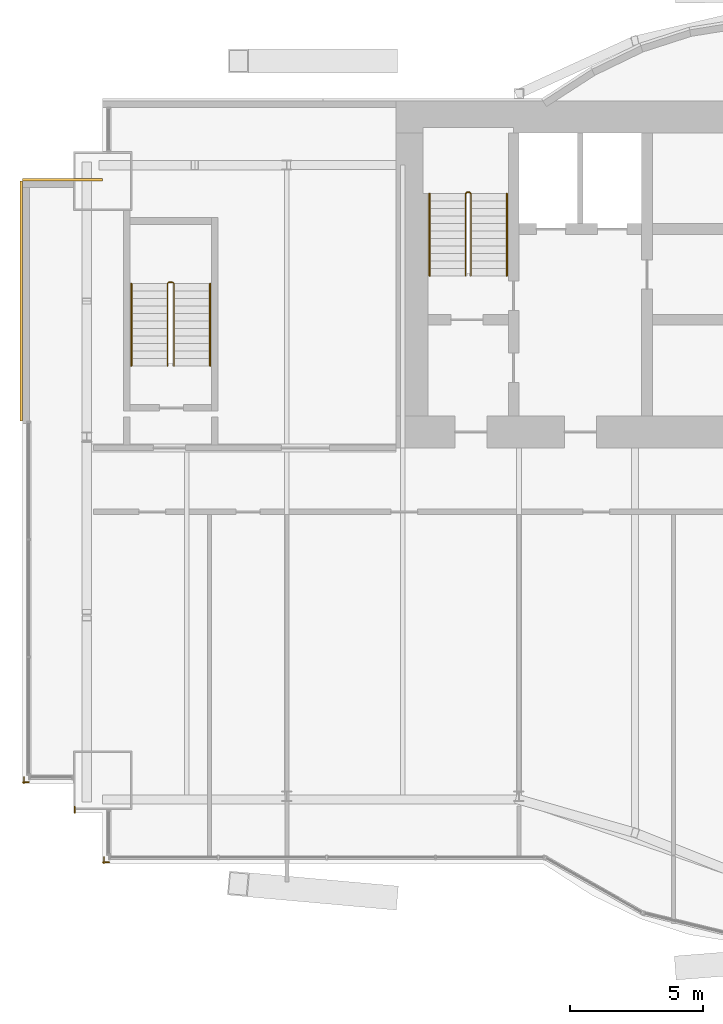
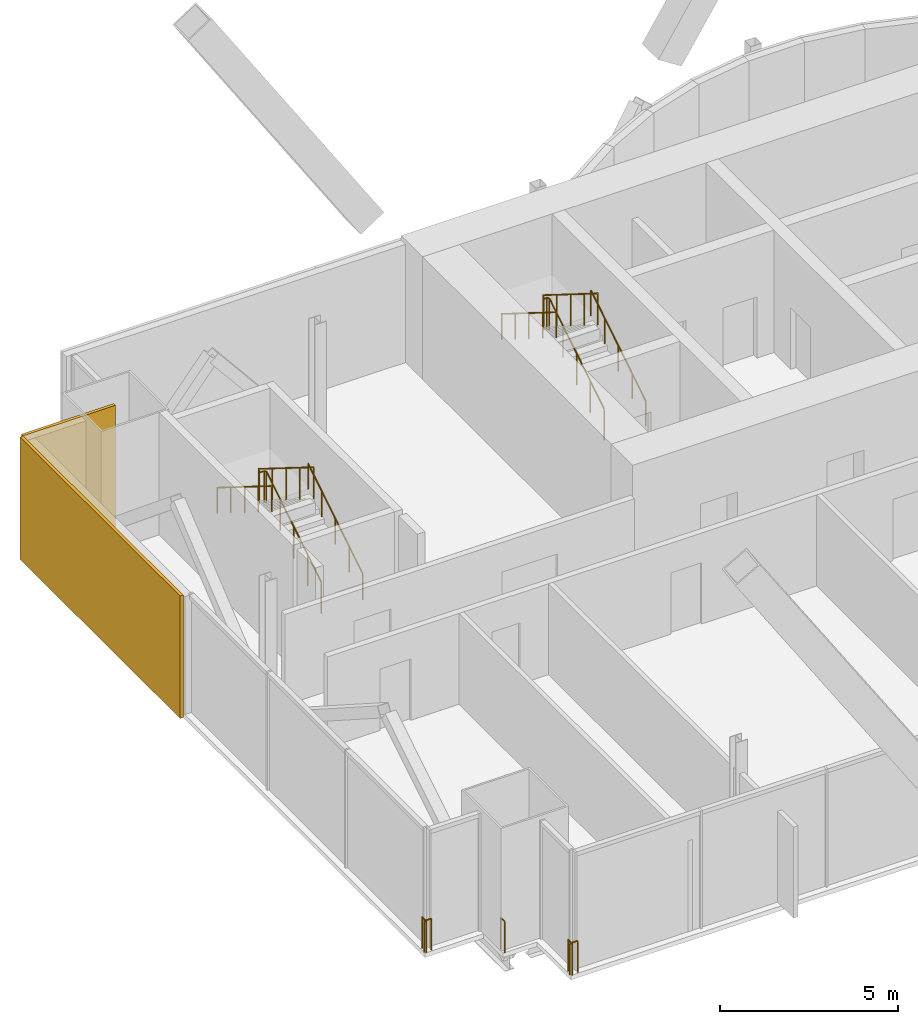
# One storey, part 17 of 19: 9 railings, 2 coverings.
"""IFC4 building model written with IfcOpenShell, lengths in metres."""

from ifc_helpers import new_model, si_unit, direction, frame, origin, origin_2d, place, context, subcontext, project, spatial, rectangle, circle, extrude, material, layer, layer_set, type_object, element, save


model = new_model("IFC4")

# Units and contexts
model_context = context("Model", 3, precision=1e-05, world=origin(), true_north=direction((0.0, 1.0)))
body_context = subcontext(model_context, "Body", "Model", "MODEL_VIEW")
ifc_project = project(units=[si_unit("LENGTHUNIT", "METRE"), si_unit("AREAUNIT", "SQUARE_METRE"), si_unit("VOLUMEUNIT", "CUBIC_METRE"), si_unit("PLANEANGLEUNIT", "RADIAN"), si_unit("MASSUNIT", "GRAM", prefix="KILO")], contexts=[model_context])

# Site, building, storey
site_placement = place(None, origin())
site = spatial("IfcSite", under=ifc_project, at=site_placement, CompositionType="ELEMENT")
building_placement = place(site_placement, origin())
building = spatial("IfcBuilding", under=site, at=building_placement, Name="Bicima Exchange Tower", CompositionType="ELEMENT")
storey_placement = place(building_placement, frame((0.0, 0.0, 270.800048828125)))
storey = spatial("IfcBuildingStorey", under=building, at=storey_placement, Name="L61", CompositionType="ELEMENT", Elevation=270.800048828125)

# Coverings
ifc_material_1 = material(Name="Bronze metal cladding")
ifc_layer_1 = layer(ifc_material_1, 0.004)
ifc_material_2 = material(Name="Ventilated cavity")
ifc_layer_2 = layer(ifc_material_2, 0.06)
ifc_material_3 = material(Name="Galvanised steel rail and mineral wool", Category="steel")
ifc_layer_3 = layer(ifc_material_3, 0.036)
ifc_layer_set = layer_set([ifc_layer_1, ifc_layer_2, ifc_layer_3], Name="Ventilated cavity")
covering_type = type_object("IfcCoveringType", Name="Bronze metal cladding panel 100", PredefinedType="CLADDING", material=ifc_layer_set)
covering_1_placement = place(storey_placement, frame((-34.5, -2.949951171875, -0.14990234375), z_axis=(0.0, 0.0, 1.0), x_axis=(-1.0, 0.0, 0.0)))
element("IfcCovering", 1, at=covering_1_placement, inside=storey, type_object=covering_type, Name="Bronze cladding L61 22.1", PredefinedType="CLADDING", context=body_context, shape_type="SweptSolid", body=[
    extrude(rectangle(XDim=3.0, YDim=0.10009765625, at=origin_2d()), origin(), (0.0, 0.0, 1.0), 4.199951171875),
])
covering_2_placement = place(storey_placement, frame((-36.050048828125, -7.5, -0.14990234375), z_axis=(0.0, 0.0, 1.0), x_axis=(0.0, -1.0, 0.0)))
element("IfcCovering", 2, at=covering_2_placement, inside=storey, type_object=covering_type, Name="Bronze cladding L61 23.1", PredefinedType="CLADDING", context=body_context, shape_type="SweptSolid", body=[
    extrude(rectangle(XDim=9.0, YDim=0.10009765625, at=origin_2d()), origin(), (0.0, 0.0, 1.0), 4.199951171875),
])

# Railings
ifc_material_4 = material(Name="Stainless steel and bonded safety glass", Category="steel")
railing_type_1 = type_object("IfcRailingType", Name="Edge guard 1100", PredefinedType="GUARDRAIL", material=ifc_material_4)
railing_1_placement = place(storey_placement, frame((-35.762939453125, -25.530029296875, 0.0)))
element("IfcRailing", 3, at=railing_1_placement, inside=storey, type_object=railing_type_1, Name="Edge guard L61 313", PredefinedType="GUARDRAIL", context=body_context, shape_type="SweptSolid", body=[
    extrude(circle(Radius=0.02392578125, at=origin_2d()), frame((0.0, 0.0, 1.076171875), z_axis=(-1.0, 0.0, 0.0), x_axis=(0.0, -1.0, 0.0)), (0.0, 0.0, 1.0), 0.237060546875),
    extrude(circle(Radius=0.02392578125, at=origin_2d()), frame((-0.237060546875, 0.0, 1.076171875), z_axis=(0.707106781187, -0.707106781187, 0.0), x_axis=(0.707106781187, 0.707106781187, 0.0)), (0.0, 0.0, 1.0), 0.07080078125),
    extrude(circle(Radius=0.02392578125, at=origin_2d()), frame((-0.18701171875, -0.050048828125, 1.076171875), z_axis=(0.0, 1.0, 0.0), x_axis=(-1.0, 0.0, 0.0)), (0.0, 0.0, 1.0), 0.248046875),
    extrude(circle(Radius=0.02099609375, at=origin_2d()), origin(), (0.0, 0.0, 1.0), 1.052001953125),
    extrude(circle(Radius=0.02099609375, at=origin_2d()), frame((-0.237060546875, 0.0, 0.0)), (0.0, 0.0, 1.0), 1.052001953125),
    extrude(circle(Radius=0.02099609375, at=origin_2d()), frame((-0.18701171875, -0.050048828125, 0.0)), (0.0, 0.0, 1.0), 1.052001953125),
    extrude(circle(Radius=0.02099609375, at=origin_2d()), frame((-0.18701171875, 0.197998046875, 0.0)), (0.0, 0.0, 1.0), 1.052001953125),
])
railing_2_placement = place(storey_placement, frame((-32.75, -28.530029296875, 0.0)))
element("IfcRailing", 4, at=railing_2_placement, inside=storey, type_object=railing_type_1, Name="Edge guard L61 317", PredefinedType="GUARDRAIL", context=body_context, shape_type="SweptSolid", body=[
    extrude(circle(Radius=0.02392578125, at=origin_2d()), frame((0.0, 0.0, 1.076171875), z_axis=(-1.0, 0.0, 0.0), x_axis=(0.0, -1.0, 0.0)), (0.0, 0.0, 1.0), 0.25),
    extrude(circle(Radius=0.02392578125, at=origin_2d()), frame((-0.25, 0.0, 1.076171875), z_axis=(0.707106781187, -0.707106781187, 0.0), x_axis=(0.707106781187, 0.707106781187, 0.0)), (0.0, 0.0, 1.0), 0.07080078125),
    extrude(circle(Radius=0.02392578125, at=origin_2d()), frame((-0.199951171875, -0.050048828125, 1.076171875), z_axis=(0.0, 1.0, 0.0), x_axis=(-1.0, 0.0, 0.0)), (0.0, 0.0, 1.0), 0.238037109375),
    extrude(circle(Radius=0.02099609375, at=origin_2d()), origin(), (0.0, 0.0, 1.0), 1.052001953125),
    extrude(circle(Radius=0.02099609375, at=origin_2d()), frame((-0.25, 0.0, 0.0)), (0.0, 0.0, 1.0), 1.052001953125),
    extrude(circle(Radius=0.02099609375, at=origin_2d()), frame((-0.199951171875, -0.050048828125, 0.0)), (0.0, 0.0, 1.0), 1.052001953125),
    extrude(circle(Radius=0.02099609375, at=origin_2d()), frame((-0.199951171875, 0.18798828125, 0.0)), (0.0, 0.0, 1.0), 1.052001953125),
])
railing_3_placement = place(storey_placement, frame((-34.050048828125, -26.679931640625, 0.0)))
element("IfcRailing", 5, at=railing_3_placement, inside=storey, type_object=railing_type_1, Name="Edge guard L61 318", PredefinedType="GUARDRAIL", context=body_context, shape_type="SweptSolid", body=[
    extrude(circle(Radius=0.02392578125, at=origin_2d()), frame((0.0, 0.0, 1.076171875), z_axis=(0.0, 1.0, 0.0), x_axis=(-1.0, 0.0, 0.0)), (0.0, 0.0, 1.0), 0.219970703125),
    extrude(circle(Radius=0.02099609375, at=origin_2d()), origin(), (0.0, 0.0, 1.0), 1.052001953125),
    extrude(circle(Radius=0.02099609375, at=origin_2d()), frame((0.0, 0.219970703125, 0.0)), (0.0, 0.0, 1.0), 1.052001953125),
])
ifc_material_5 = material(Name="Stainless steel", Category="steel")
railing_type_2 = type_object("IfcRailingType", Name="Stair guard 1100", PredefinedType="GUARDRAIL", material=ifc_material_5)
railing_4_placement = place(storey_placement, frame((-19.199951171875, -6.550048828125, 0.175048828125)))
element("IfcRailing", 6, at=railing_4_placement, inside=storey, type_object=railing_type_2, Name="L61 ST-W stair guard 1", PredefinedType="GUARDRAIL", context=body_context, shape_type="SweptSolid", body=[
    extrude(circle(Radius=0.02392578125, at=origin_2d()), frame((0.0, 0.0, 1.076171875), z_axis=(0.0, 0.848028513186, 0.529950602248), x_axis=(-1.0, 0.0, 0.0)), (0.0, 0.0, 1.0), 3.632080078125),
    extrude(circle(Radius=0.02392578125, at=origin_2d()), frame((0.0, 3.080078125, 3.0009765625), z_axis=(-0.707106781187, 0.707106781187, 0.0), x_axis=(-0.707106781187, -0.707106781187, 0.0)), (0.0, 0.0, 1.0), 0.07080078125),
    extrude(circle(Radius=0.02392578125, at=origin_2d()), frame((-0.050048828125, 3.130126953125, 3.0009765625), z_axis=(-1.0, 0.0, 0.0), x_axis=(0.0, -1.0, 0.0)), (0.0, 0.0, 1.0), 0.10009765625),
    extrude(circle(Radius=0.02392578125, at=origin_2d()), frame((-0.150146484375, 3.130126953125, 3.0009765625), z_axis=(-0.263862480399, -0.265155923931, 0.927399011991), x_axis=(0.708833529934, -0.705375805398, 0.0)), (0.0, 0.0, 1.0), 0.188720703125),
    extrude(circle(Radius=0.02392578125, at=origin_2d()), frame((-0.199951171875, 3.080078125, 3.17578125), z_axis=(0.0, -0.847998304005, 0.529998940003), x_axis=(1.0, 0.0, 0.0)), (0.0, 0.0, 1.0), 3.632080078125),
    extrude(circle(Radius=0.02099609375, at=origin_2d()), origin(), (0.0, 0.0, 1.0), 1.052001953125),
    extrude(circle(Radius=0.02099609375, at=origin_2d()), frame((0.0, 0.77001953125, 0.481201171875)), (0.0, 0.0, 1.0), 1.052001953125),
    extrude(circle(Radius=0.02099609375, at=origin_2d()), frame((0.0, 1.5400390625, 0.96240234375)), (0.0, 0.0, 1.0), 1.052001953125),
    extrude(circle(Radius=0.02099609375, at=origin_2d()), frame((0.0, 2.31005859375, 1.443603515625)), (0.0, 0.0, 1.0), 1.052001953125),
    extrude(circle(Radius=0.02099609375, at=origin_2d()), frame((0.0, 3.080078125, 1.9248046875)), (0.0, 0.0, 1.0), 1.052001953125),
    extrude(circle(Radius=0.02099609375, at=origin_2d()), frame((-0.050048828125, 3.130126953125, 1.9248046875)), (0.0, 0.0, 1.0), 1.052001953125),
    extrude(circle(Radius=0.02099609375, at=origin_2d()), frame((-0.150146484375, 3.130126953125, 1.9248046875)), (0.0, 0.0, 1.0), 1.052001953125),
    extrude(circle(Radius=0.02099609375, at=origin_2d()), frame((-0.199951171875, 3.080078125, 2.099853515625)), (0.0, 0.0, 1.0), 1.052001953125),
    extrude(circle(Radius=0.02099609375, at=origin_2d()), frame((-0.199951171875, 2.31005859375, 2.5810546875)), (0.0, 0.0, 1.0), 1.052001953125),
    extrude(circle(Radius=0.02099609375, at=origin_2d()), frame((-0.199951171875, 1.5400390625, 3.0625)), (0.0, 0.0, 1.0), 1.052001953125),
    extrude(circle(Radius=0.02099609375, at=origin_2d()), frame((-0.199951171875, 0.77001953125, 3.543701171875)), (0.0, 0.0, 1.0), 1.052001953125),
    extrude(circle(Radius=0.02099609375, at=origin_2d()), frame((-0.199951171875, 0.0, 4.02490234375)), (0.0, 0.0, 1.0), 1.052001953125),
])
railing_5_placement = place(storey_placement, frame((-30.324951171875, -9.925048828125, 0.175048828125)))
element("IfcRailing", 7, at=railing_5_placement, inside=storey, type_object=railing_type_2, Name="L61 ST-WW stair guard 1", PredefinedType="GUARDRAIL", context=body_context, shape_type="SweptSolid", body=[
    extrude(circle(Radius=0.02392578125, at=origin_2d()), frame((0.0, 0.0, 1.076171875), z_axis=(0.0, 0.848028513186, 0.529950602248), x_axis=(-1.0, 0.0, 0.0)), (0.0, 0.0, 1.0), 3.632080078125),
    extrude(circle(Radius=0.02392578125, at=origin_2d()), frame((0.0, 3.080078125, 3.0009765625), z_axis=(-0.707106781187, 0.707106781187, 0.0), x_axis=(-0.707106781187, -0.707106781187, 0.0)), (0.0, 0.0, 1.0), 0.07080078125),
    extrude(circle(Radius=0.02392578125, at=origin_2d()), frame((-0.050048828125, 3.130126953125, 3.0009765625), z_axis=(-1.0, 0.0, 0.0), x_axis=(0.0, -1.0, 0.0)), (0.0, 0.0, 1.0), 0.14990234375),
    extrude(circle(Radius=0.02392578125, at=origin_2d()), frame((-0.199951171875, 3.130126953125, 3.0009765625), z_axis=(-0.265065253269, -0.265065253269, 0.927081885822), x_axis=(0.707106781187, -0.707106781187, 0.0)), (0.0, 0.0, 1.0), 0.188720703125),
    extrude(circle(Radius=0.02392578125, at=origin_2d()), frame((-0.25, 3.080078125, 3.17578125), z_axis=(0.0, -0.847998304005, 0.529998940003), x_axis=(1.0, 0.0, 0.0)), (0.0, 0.0, 1.0), 3.632080078125),
    extrude(circle(Radius=0.02099609375, at=origin_2d()), origin(), (0.0, 0.0, 1.0), 1.052001953125),
    extrude(circle(Radius=0.02099609375, at=origin_2d()), frame((0.0, 0.77001953125, 0.481201171875)), (0.0, 0.0, 1.0), 1.052001953125),
    extrude(circle(Radius=0.02099609375, at=origin_2d()), frame((0.0, 1.5400390625, 0.96240234375)), (0.0, 0.0, 1.0), 1.052001953125),
    extrude(circle(Radius=0.02099609375, at=origin_2d()), frame((0.0, 2.31005859375, 1.443603515625)), (0.0, 0.0, 1.0), 1.052001953125),
    extrude(circle(Radius=0.02099609375, at=origin_2d()), frame((0.0, 3.080078125, 1.9248046875)), (0.0, 0.0, 1.0), 1.052001953125),
    extrude(circle(Radius=0.02099609375, at=origin_2d()), frame((-0.050048828125, 3.130126953125, 1.9248046875)), (0.0, 0.0, 1.0), 1.052001953125),
    extrude(circle(Radius=0.02099609375, at=origin_2d()), frame((-0.199951171875, 3.130126953125, 1.9248046875)), (0.0, 0.0, 1.0), 1.052001953125),
    extrude(circle(Radius=0.02099609375, at=origin_2d()), frame((-0.25, 3.080078125, 2.099853515625)), (0.0, 0.0, 1.0), 1.052001953125),
    extrude(circle(Radius=0.02099609375, at=origin_2d()), frame((-0.25, 2.31005859375, 2.5810546875)), (0.0, 0.0, 1.0), 1.052001953125),
    extrude(circle(Radius=0.02099609375, at=origin_2d()), frame((-0.25, 1.5400390625, 3.0625)), (0.0, 0.0, 1.0), 1.052001953125),
    extrude(circle(Radius=0.02099609375, at=origin_2d()), frame((-0.25, 0.77001953125, 3.543701171875)), (0.0, 0.0, 1.0), 1.052001953125),
    extrude(circle(Radius=0.02099609375, at=origin_2d()), frame((-0.25, 0.0, 4.02490234375)), (0.0, 0.0, 1.0), 1.052001953125),
])
railing_type_3 = type_object("IfcRailingType", Name="Stair handrail 900", PredefinedType="HANDRAIL", material=ifc_material_5)
railing_6_placement = place(storey_placement, frame((-17.85009765625, -6.550048828125, 0.175048828125)))
element("IfcRailing", 8, at=railing_6_placement, inside=storey, type_object=railing_type_3, Name="L61 ST-W stair handrail 1", PredefinedType="HANDRAIL", context=body_context, shape_type="SweptSolid", body=[
    extrude(circle(Radius=0.02392578125, at=origin_2d()), frame((0.0, 0.0, 0.8759765625), z_axis=(0.0, 0.848028513186, 0.529950602248), x_axis=(-1.0, 0.0, 0.0)), (0.0, 0.0, 1.0), 3.632080078125),
    extrude(circle(Radius=0.02099609375, at=origin_2d()), origin(), (0.0, 0.0, 1.0), 0.851806640625),
    extrude(circle(Radius=0.02099609375, at=origin_2d()), frame((0.0, 0.77001953125, 0.481201171875)), (0.0, 0.0, 1.0), 0.851806640625),
    extrude(circle(Radius=0.02099609375, at=origin_2d()), frame((0.0, 1.5400390625, 0.96240234375)), (0.0, 0.0, 1.0), 0.851806640625),
    extrude(circle(Radius=0.02099609375, at=origin_2d()), frame((0.0, 2.31005859375, 1.443603515625)), (0.0, 0.0, 1.0), 0.851806640625),
    extrude(circle(Radius=0.02099609375, at=origin_2d()), frame((0.0, 3.080078125, 1.9248046875)), (0.0, 0.0, 1.0), 0.851806640625),
])
railing_7_placement = place(storey_placement, frame((-20.75, -3.469970703125, 2.303955078125)))
element("IfcRailing", 9, at=railing_7_placement, inside=storey, type_object=railing_type_3, Name="L61 ST-W stair handrail 2", PredefinedType="HANDRAIL", context=body_context, shape_type="SweptSolid", body=[
    extrude(circle(Radius=0.02392578125, at=origin_2d()), frame((0.0, 0.0, 0.8759765625), z_axis=(0.0, -0.847998304005, 0.529998940003), x_axis=(1.0, 0.0, 0.0)), (0.0, 0.0, 1.0), 3.632080078125),
    extrude(circle(Radius=0.02099609375, at=origin_2d()), origin(), (0.0, 0.0, 1.0), 0.851806640625),
    extrude(circle(Radius=0.02099609375, at=origin_2d()), frame((0.0, -0.77001953125, 0.481201171875)), (0.0, 0.0, 1.0), 0.851806640625),
    extrude(circle(Radius=0.02099609375, at=origin_2d()), frame((0.0, -1.5400390625, 0.96240234375)), (0.0, 0.0, 1.0), 0.851806640625),
    extrude(circle(Radius=0.02099609375, at=origin_2d()), frame((0.0, -2.31005859375, 1.44384765625)), (0.0, 0.0, 1.0), 0.851806640625),
    extrude(circle(Radius=0.02099609375, at=origin_2d()), frame((0.0, -3.080078125, 1.925048828125)), (0.0, 0.0, 1.0), 0.851806640625),
])
railing_8_placement = place(storey_placement, frame((-28.97509765625, -9.925048828125, 0.175048828125)))
element("IfcRailing", 10, at=railing_8_placement, inside=storey, type_object=railing_type_3, Name="L61 ST-WW stair handrail 1", PredefinedType="HANDRAIL", context=body_context, shape_type="SweptSolid", body=[
    extrude(circle(Radius=0.02392578125, at=origin_2d()), frame((0.0, 0.0, 0.8759765625), z_axis=(0.0, 0.848028513186, 0.529950602248), x_axis=(-1.0, 0.0, 0.0)), (0.0, 0.0, 1.0), 3.632080078125),
    extrude(circle(Radius=0.02099609375, at=origin_2d()), origin(), (0.0, 0.0, 1.0), 0.851806640625),
    extrude(circle(Radius=0.02099609375, at=origin_2d()), frame((0.0, 0.77001953125, 0.481201171875)), (0.0, 0.0, 1.0), 0.851806640625),
    extrude(circle(Radius=0.02099609375, at=origin_2d()), frame((0.0, 1.5400390625, 0.96240234375)), (0.0, 0.0, 1.0), 0.851806640625),
    extrude(circle(Radius=0.02099609375, at=origin_2d()), frame((0.0, 2.31005859375, 1.443603515625)), (0.0, 0.0, 1.0), 0.851806640625),
    extrude(circle(Radius=0.02099609375, at=origin_2d()), frame((0.0, 3.080078125, 1.9248046875)), (0.0, 0.0, 1.0), 0.851806640625),
])
railing_9_placement = place(storey_placement, frame((-31.925048828125, -6.844970703125, 2.303955078125)))
element("IfcRailing", 11, at=railing_9_placement, inside=storey, type_object=railing_type_3, Name="L61 ST-WW stair handrail 2", PredefinedType="HANDRAIL", context=body_context, shape_type="SweptSolid", body=[
    extrude(circle(Radius=0.02392578125, at=origin_2d()), frame((0.0, 0.0, 0.8759765625), z_axis=(0.0, -0.847998304005, 0.529998940003), x_axis=(1.0, 0.0, 0.0)), (0.0, 0.0, 1.0), 3.632080078125),
    extrude(circle(Radius=0.02099609375, at=origin_2d()), origin(), (0.0, 0.0, 1.0), 0.851806640625),
    extrude(circle(Radius=0.02099609375, at=origin_2d()), frame((0.0, -0.77001953125, 0.481201171875)), (0.0, 0.0, 1.0), 0.851806640625),
    extrude(circle(Radius=0.02099609375, at=origin_2d()), frame((0.0, -1.5400390625, 0.96240234375)), (0.0, 0.0, 1.0), 0.851806640625),
    extrude(circle(Radius=0.02099609375, at=origin_2d()), frame((0.0, -2.31005859375, 1.44384765625)), (0.0, 0.0, 1.0), 0.851806640625),
    extrude(circle(Radius=0.02099609375, at=origin_2d()), frame((0.0, -3.080078125, 1.925048828125)), (0.0, 0.0, 1.0), 0.851806640625),
])

save(model, "model.ifc")
